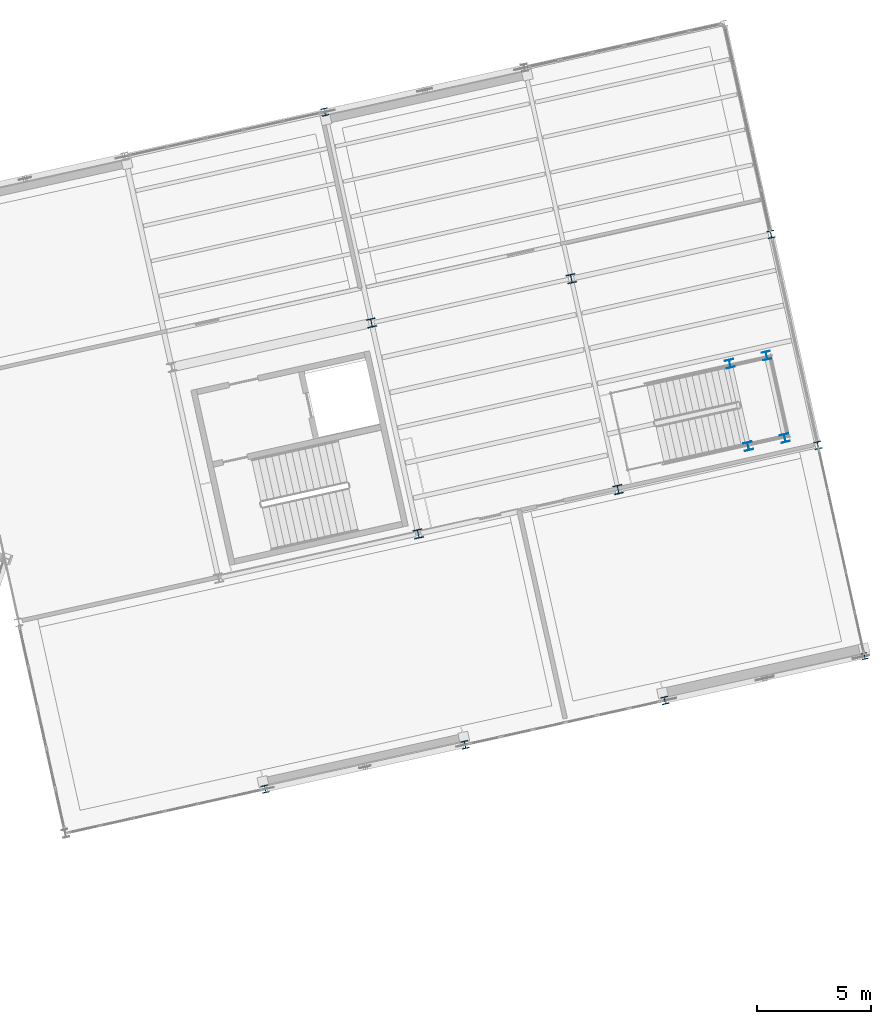
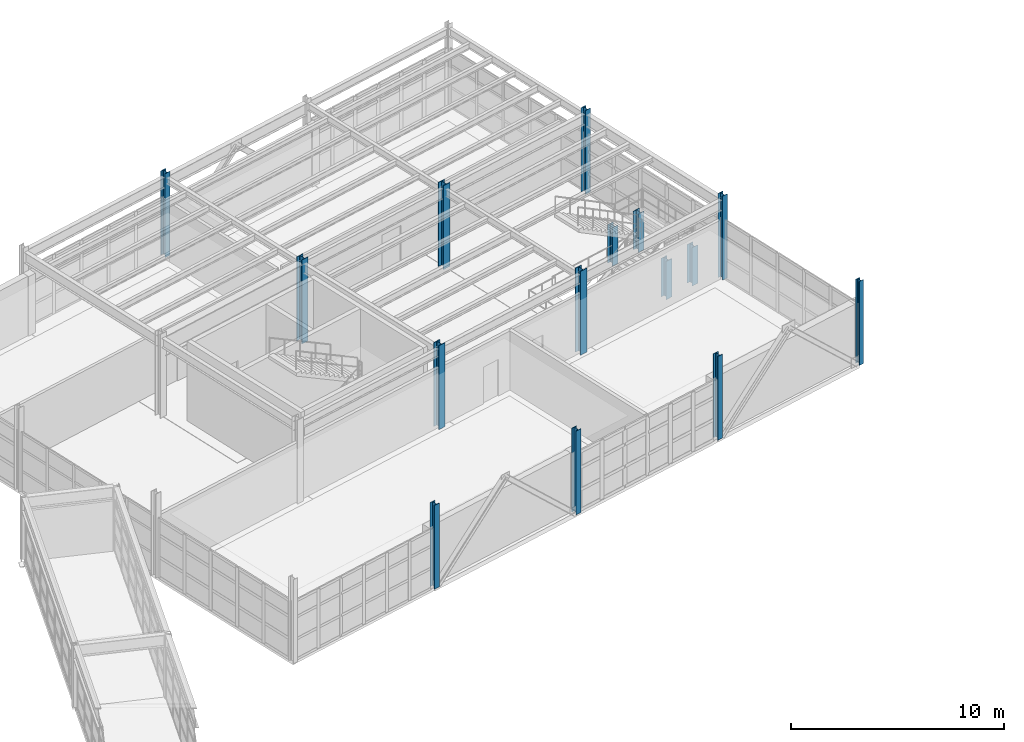
# One storey, part 16 of 102: 15 columns.
"""IFC4 building model written with IfcOpenShell, lengths in metres."""

from ifc_helpers import new_model, si_unit, direction, frame, origin, origin_2d, place, context, subcontext, project, spatial, i_section, extrude, material, material_profile, profile_set, type_object, element, save


model = new_model("IFC4")

# Units and contexts
model_context = context("Model", 3, precision=1e-05, world=origin(), true_north=direction((0.0, 1.0)))
body_context = subcontext(model_context, "Body", "Model", "MODEL_VIEW")
ifc_project = project(units=[si_unit("LENGTHUNIT", "METRE"), si_unit("AREAUNIT", "SQUARE_METRE"), si_unit("VOLUMEUNIT", "CUBIC_METRE"), si_unit("PLANEANGLEUNIT", "RADIAN"), si_unit("MASSUNIT", "GRAM", prefix="KILO")], contexts=[model_context])

# Site, building, storey
site_placement = place(None, origin())
site = spatial("IfcSite", under=ifc_project, at=site_placement, CompositionType="ELEMENT")
building_placement = place(site_placement, origin())
building = spatial("IfcBuilding", under=site, at=building_placement, Name="Vireo Bluff Cable Station", CompositionType="ELEMENT")
storey_placement = place(building_placement, frame((0.0, 0.0, 9.60009765625)))
storey = spatial("IfcBuildingStorey", under=building, at=storey_placement, Name="L02", CompositionType="ELEMENT", Elevation=9.60009765625)

# Columns
ifc_material = material(Name="Steel ASTM A992 Gr. 50", Category="steel")
ifc_material_profile_1 = material_profile(ifc_material, i_section(OverallWidth=0.39404296875, OverallDepth=0.3759765625, WebThickness=0.017333984375, FlangeThickness=0.027587890625, FilletRadius=0.014892578125, at=origin_2d()), Name="W14X145")
ifc_profile_set_1 = profile_set([ifc_material_profile_1], Name="Steel ASTM A992 Gr. 50")
column_type_1 = type_object("IfcColumnType", Name="COL-W14X145", PredefinedType="COLUMN", material=ifc_profile_set_1)
for number, where, z_axis, x_axis, name in (
    (1, (141.51708984375, 87.170654296875, 0.0), (0.0, 0.0, 1.0), (0.97629600712, 0.216439613938, 0.0), "V2 L02 column 155"),
    (2, (139.4609375, 96.445556640625, 0.0), (0.0, 0.0, 1.0), (0.97629600712, 0.216439613938, 0.0), "V2 L02 column 159"),
):
    element("IfcColumn", number, at=place(storey_placement, frame(where, z_axis=z_axis, x_axis=x_axis)), inside=storey, type_object=column_type_1, Name=name, PredefinedType="COLUMN", context=body_context, shape_type="SweptSolid", body=[
        extrude(i_section(OverallWidth=0.39404296875, OverallDepth=0.3759765625, WebThickness=0.017333984375, FlangeThickness=0.027587890625, FilletRadius=0.014892578125, at=origin_2d()), origin(), (0.0, 0.0, 1.0), 4.7998046875),
    ])
ifc_material_profile_2 = material_profile(ifc_material, i_section(OverallWidth=0.39599609375, OverallDepth=0.381103515625, WebThickness=0.018798828125, FlangeThickness=0.0302734375, FilletRadius=0.014892578125, at=origin_2d()), Name="W14X159")
ifc_profile_set_2 = profile_set([ifc_material_profile_2], Name="Steel ASTM A992 Gr. 50")
column_type_2 = type_object("IfcColumnType", Name="COL-W14X159", PredefinedType="COLUMN", material=ifc_profile_set_2)
for number, where, z_axis, x_axis, name in (
    (3, (150.3037109375, 89.11865234375, 0.0), (0.0, 0.0, 1.0), (0.97629600712, 0.216439613938, 0.0), "V2 L02 column 170"),
    (4, (148.24755859375, 98.3935546875, 0.0), (0.0, 0.0, 1.0), (0.97629600712, 0.216439613938, 0.0), "V2 L02 column 174"),
):
    element("IfcColumn", number, at=place(storey_placement, frame(where, z_axis=z_axis, x_axis=x_axis)), inside=storey, type_object=column_type_2, Name=name, PredefinedType="COLUMN", context=body_context, shape_type="SweptSolid", body=[
        extrude(i_section(OverallWidth=0.39599609375, OverallDepth=0.381103515625, WebThickness=0.018798828125, FlangeThickness=0.0302734375, FilletRadius=0.014892578125, at=origin_2d()), origin(), (0.0, 0.0, 1.0), 4.7998046875),
    ])
ifc_material_profile_3 = material_profile(ifc_material, i_section(OverallWidth=0.367919921875, OverallDepth=0.35595703125, WebThickness=0.01123046875, FlangeThickness=0.01806640625, FilletRadius=0.014892578125, at=origin_2d()), Name="W14X90")
ifc_profile_set_3 = profile_set([ifc_material_profile_3], Name="Steel ASTM A992 Gr. 50")
column_type_3 = type_object("IfcColumnType", Name="COL-W14X90", PredefinedType="COLUMN", material=ifc_profile_set_3)
for number, where, z_axis, x_axis, name in (
    (5, (156.02734375, 91.022705078125, 0.0), (0.0, 0.0, 1.0), (0.97629600712, 0.216439613938, 0.0), "ST-09 L02 landing support column 1"),
    (6, (157.63818359375, 91.379638671875, 0.0), (0.0, 0.0, 1.0), (0.97629600712, 0.216439613938, 0.0), "ST-09 L02 landing support column 2"),
    (7, (155.22216796875, 94.654541015625, 0.0), (0.0, 0.0, 1.0), (0.97629600712, 0.216439613938, 0.0), "ST-09 L02 landing support column 3"),
    (8, (156.833251953125, 95.011474609375, 0.0), (0.0, 0.0, 1.0), (0.97629600712, 0.216439613938, 0.0), "ST-09 L02 landing support column 4"),
):
    element("IfcColumn", number, at=place(storey_placement, frame(where, z_axis=z_axis, x_axis=x_axis)), inside=storey, type_object=column_type_3, Name=name, PredefinedType="COLUMN", context=body_context, shape_type="SweptSolid", body=[
        extrude(i_section(OverallWidth=0.367919921875, OverallDepth=0.35595703125, WebThickness=0.01123046875, FlangeThickness=0.01806640625, FilletRadius=0.014892578125, at=origin_2d()), origin(), (0.0, 0.0, 1.0), 2.199951171875),
    ])
ifc_material_profile_4 = material_profile(ifc_material, i_section(OverallWidth=0.31298828125, OverallDepth=0.3330078125, WebThickness=0.01806640625, FlangeThickness=0.028076171875, FilletRadius=0.012939453125, at=origin_2d()), Name="W12X120")
ifc_profile_set_4 = profile_set([ifc_material_profile_4], Name="Steel ASTM A992 Gr. 50")
column_type_4 = type_object("IfcColumnType", Name="ECOL-W12X120", PredefinedType="COLUMN", material=ifc_profile_set_4)
column_1_placement = place(storey_placement, frame((143.5732421875, 77.89599609375, 0.0), z_axis=(0.0, 0.0, 1.0), x_axis=(0.97629600712, 0.216439613938, 0.0)))
element("IfcColumn", 9, at=column_1_placement, inside=storey, type_object=column_type_4, Name="V2 L02 column 152", PredefinedType="COLUMN", context=body_context, shape_type="SweptSolid", body=[
    extrude(i_section(OverallWidth=0.31298828125, OverallDepth=0.3330078125, WebThickness=0.01806640625, FlangeThickness=0.028076171875, FilletRadius=0.012939453125, at=origin_2d()), origin(), (0.0, 0.0, 1.0), 4.7998046875),
])
ifc_material_profile_5 = material_profile(ifc_material, i_section(OverallWidth=0.30908203125, OverallDepth=0.322998046875, WebThickness=0.013916015625, FlangeThickness=0.02294921875, FilletRadius=0.012939453125, at=origin_2d()), Name="W12X96")
ifc_profile_set_5 = profile_set([ifc_material_profile_5], Name="Steel ASTM A992 Gr. 50")
column_type_5 = type_object("IfcColumnType", Name="ECOL-W12X96", PredefinedType="COLUMN", material=ifc_profile_set_5)
for number, where, z_axis, x_axis, name in (
    (10, (134.78662109375, 75.947998046875, 0.0), (0.0, 0.0, 1.0), (0.97629600712, 0.216439613938, 0.0), "V2 L02 column 137"),
    (11, (137.40478515625, 105.720458984375, 0.0), (0.0, 0.0, 1.0), (0.97629600712, 0.216439613938, 0.0), "V2 L02 column 163"),
    (12, (152.360107421875, 79.84375, 0.0), (0.0, 0.0, 1.0), (0.97629600712, 0.216439613938, 0.0), "V2 L02 column 167"),
    (13, (159.090576171875, 91.066650390625, 0.0), (0.0, 0.0, 1.0), (0.97629600712, 0.216439613938, 0.0), "V2 L02 column 185"),
    (14, (157.034423828125, 100.341552734375, 0.0), (0.0, 0.0, 1.0), (0.97629600712, 0.216439613938, 0.0), "V2 L02 column 189"),
):
    element("IfcColumn", number, at=place(storey_placement, frame(where, z_axis=z_axis, x_axis=x_axis)), inside=storey, type_object=column_type_5, Name=name, PredefinedType="COLUMN", context=body_context, shape_type="SweptSolid", body=[
        extrude(i_section(OverallWidth=0.30908203125, OverallDepth=0.322998046875, WebThickness=0.013916015625, FlangeThickness=0.02294921875, FilletRadius=0.012939453125, at=origin_2d()), origin(), (0.0, 0.0, 1.0), 4.7998046875),
    ])
ifc_material_profile_6 = material_profile(ifc_material, i_section(OverallWidth=0.257080078125, OverallDepth=0.263916015625, WebThickness=0.011962890625, FlangeThickness=0.01953125, FilletRadius=0.009033203125, at=origin_2d()), Name="W10X68")
ifc_profile_set_6 = profile_set([ifc_material_profile_6], Name="Steel ASTM A992 Gr. 50")
column_type_6 = type_object("IfcColumnType", Name="PIL-W10X68", PredefinedType="PILASTER", material=ifc_profile_set_6)
column_2_placement = place(storey_placement, frame((161.146728515625, 81.791748046875, 0.0), z_axis=(0.0, 0.0, 1.0), x_axis=(0.97629600712, 0.216439613938, 0.0)))
element("IfcColumn", 15, at=column_2_placement, inside=storey, type_object=column_type_6, Name="V2 L02 column 182", PredefinedType="PILASTER", context=body_context, shape_type="SweptSolid", body=[
    extrude(i_section(OverallWidth=0.257080078125, OverallDepth=0.263916015625, WebThickness=0.011962890625, FlangeThickness=0.01953125, FilletRadius=0.009033203125, at=origin_2d()), origin(), (0.0, 0.0, 1.0), 4.7998046875),
])

save(model, "model.ifc")
